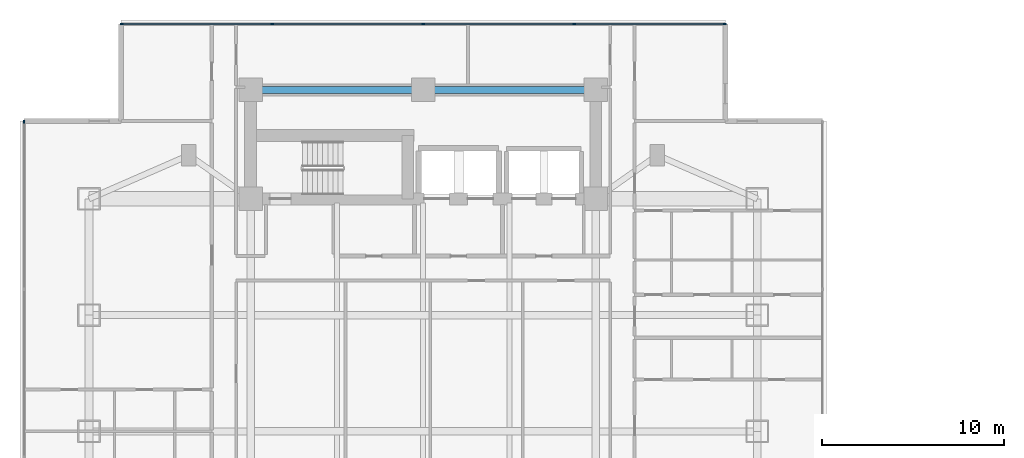
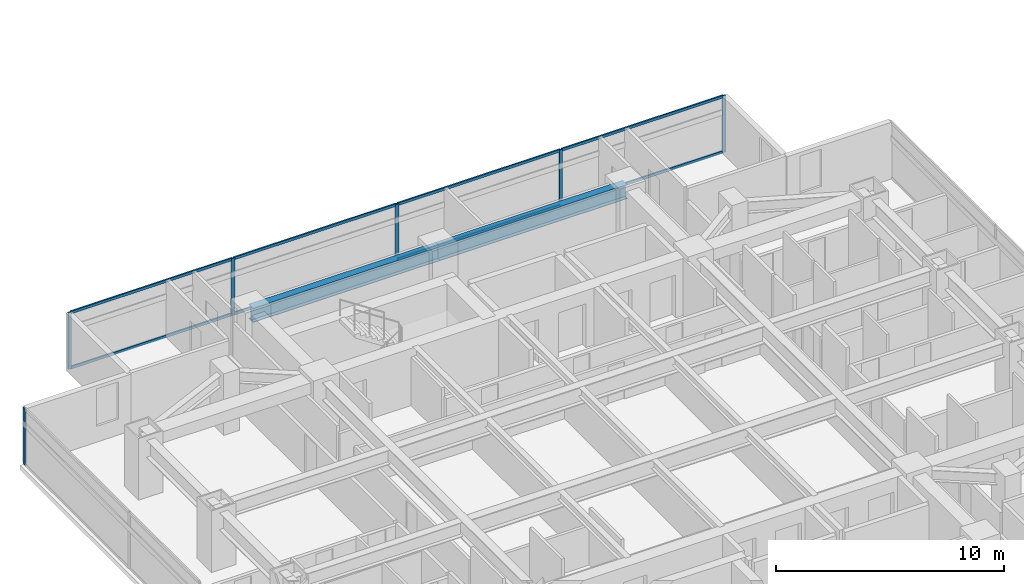
# One storey, part 7 of 24: 14 members, 2 beams, 2 elements without a shape of their own.
"""IFC4 building model written with IfcOpenShell, lengths in metres."""

from ifc_helpers import new_model, si_unit, direction, frame, origin, origin_2d, place, context, subcontext, project, spatial, rectangle, i_section, extrude, material, material_profile, profile_set, type_object, element, aggregate, save


model = new_model("IFC4")

# Units and contexts
model_context = context("Model", 3, precision=1e-05, world=origin(), true_north=direction((0.0, 1.0)))
body_context = subcontext(model_context, "Body", "Model", "MODEL_VIEW")
ifc_project = project(units=[si_unit("LENGTHUNIT", "METRE"), si_unit("AREAUNIT", "SQUARE_METRE"), si_unit("VOLUMEUNIT", "CUBIC_METRE"), si_unit("PLANEANGLEUNIT", "RADIAN"), si_unit("MASSUNIT", "GRAM", prefix="KILO")], contexts=[model_context])

# Site, building, storey
site_placement = place(None, origin())
site = spatial("IfcSite", under=ifc_project, at=site_placement, CompositionType="ELEMENT")
building_placement = place(site_placement, origin())
building = spatial("IfcBuilding", under=site, at=building_placement, Name="Mirazonda Arch Towers", CompositionType="ELEMENT")
storey_placement = place(building_placement, frame((0.0, 0.0, 68.60009765625)))
storey = spatial("IfcBuildingStorey", under=building, at=storey_placement, Name="L19", CompositionType="ELEMENT", Elevation=68.60009765625)

# Beams
ifc_material_1 = material(Name="Steel ASTM A992 Grade 50", Category="steel")
ifc_material_profile_1 = material_profile(ifc_material_1, i_section(OverallWidth=0.381103515625, OverallDepth=0.77294921875, WebThickness=0.0166015625, FlangeThickness=0.027099609375, at=origin_2d()), Name="W30X173")
ifc_profile_set_1 = profile_set([ifc_material_profile_1], Name="Steel ASTM A992 Grade 50")
beam_type = type_object("IfcBeamType", Name="BM-INT-W30X173", PredefinedType="USERDEFINED", material=ifc_profile_set_1)
for number, where, z_axis, x_axis, name in (
    (1, (11.0, 43.60009765625, 2.67333984375), (1.0, 0.0, 0.0), (0.0, 1.0, 0.0), "L19 Floor Beam BM-T1-L19-CN1"),
    (2, (20.5, 43.60009765625, 2.67333984375), (1.0, 0.0, 0.0), (0.0, 1.0, 0.0), "L19 Floor Beam BM-T1-L19-CN2"),
):
    element("IfcBeam", number, at=place(storey_placement, frame(where, z_axis=z_axis, x_axis=x_axis)), inside=storey, type_object=beam_type, Name=name, ObjectType="GIRDER", PredefinedType="USERDEFINED", context=body_context, shape_type="SweptSolid", body=[
        extrude(i_section(OverallWidth=0.381103515625, OverallDepth=0.77294921875, WebThickness=0.0166015625, FlangeThickness=0.027099609375, at=origin_2d()), origin(), (0.0, 0.0, 1.0), 9.5),
    ])

# Curtain wall, members
ifc_material_2 = material(Name="Anodised Aluminium and Low-E Glass", Category="aluminium")
curtain_wall_type = type_object("IfcCurtainWallType", Name="CW-HTL-UNIT", PredefinedType="NOTDEFINED", material=ifc_material_2)
curtain_wall_1_placement = place(storey_placement, origin())
curtain_wall_1 = element("IfcCurtainWall", 3, at=curtain_wall_1_placement, inside=storey, type_object=curtain_wall_type, Name="L19 T1 N Facade CW-L19-T1-N", PredefinedType="NOTDEFINED")
ifc_material_3 = material(Name="Anodised Aluminium Alloy", Category="aluminium")
ifc_material_profile_2 = material_profile(ifc_material_3, rectangle(XDim=0.074951171875, YDim=0.1650390625, at=origin_2d()), Name="ALU-MULL-75x165")
ifc_profile_set_2 = profile_set([ifc_material_profile_2], Name="Anodised Aluminium Alloy")
member_type_1 = type_object("IfcMemberType", Name="MULL-CW-HTL-UNIT", PredefinedType="MULLION", material=ifc_profile_set_2)
member_1_placement = place(storey_placement, frame((3.8974609375, 47.22998046875, 0.0), z_axis=(0.0, 0.0, 1.0), x_axis=(0.0, 1.0, 0.0)))
member_1 = element("IfcMember", 4, at=member_1_placement, type_object=member_type_1, Name="CW-112 mullion 1", PredefinedType="MULLION", context=body_context, shape_type="SweptSolid", body=[
    extrude(rectangle(XDim=0.074951171875, YDim=0.1650390625, at=origin_2d()), origin(), (0.0, 0.0, 1.0), 3.039794921875),
])
member_2_placement = place(storey_placement, frame((12.179931640625, 47.22998046875, 0.0), z_axis=(0.0, 0.0, 1.0), x_axis=(0.0, 1.0, 0.0)))
member_2 = element("IfcMember", 5, at=member_2_placement, type_object=member_type_1, Name="CW-112 mullion 2", PredefinedType="MULLION", context=body_context, shape_type="SweptSolid", body=[
    extrude(rectangle(XDim=0.074951171875, YDim=0.1650390625, at=origin_2d()), origin(), (0.0, 0.0, 1.0), 3.039794921875),
])
member_3_placement = place(storey_placement, frame((20.5, 47.22998046875, 0.0), z_axis=(0.0, 0.0, 1.0), x_axis=(0.0, 1.0, 0.0)))
member_3 = element("IfcMember", 6, at=member_3_placement, type_object=member_type_1, Name="CW-112 mullion 3", PredefinedType="MULLION", context=body_context, shape_type="SweptSolid", body=[
    extrude(rectangle(XDim=0.074951171875, YDim=0.1650390625, at=origin_2d()), origin(), (0.0, 0.0, 1.0), 3.039794921875),
])
member_4_placement = place(storey_placement, frame((28.820068359375, 47.22998046875, 0.0), z_axis=(0.0, 0.0, 1.0), x_axis=(0.0, 1.0, 0.0)))
member_4 = element("IfcMember", 7, at=member_4_placement, type_object=member_type_1, Name="CW-112 mullion 4", PredefinedType="MULLION", context=body_context, shape_type="SweptSolid", body=[
    extrude(rectangle(XDim=0.074951171875, YDim=0.1650390625, at=origin_2d()), origin(), (0.0, 0.0, 1.0), 3.039794921875),
])
member_5_placement = place(storey_placement, frame((37.1025390625, 47.22998046875, 0.0), z_axis=(0.0, 0.0, 1.0), x_axis=(0.0, 1.0, 0.0)))
member_5 = element("IfcMember", 8, at=member_5_placement, type_object=member_type_1, Name="CW-112 mullion 5", PredefinedType="MULLION", context=body_context, shape_type="SweptSolid", body=[
    extrude(rectangle(XDim=0.074951171875, YDim=0.1650390625, at=origin_2d()), origin(), (0.0, 0.0, 1.0), 3.039794921875),
])

# Curtain wall, member
curtain_wall_2_placement = place(storey_placement, origin())
curtain_wall_2 = element("IfcCurtainWall", 9, at=curtain_wall_2_placement, inside=storey, type_object=curtain_wall_type, Name="L19 T1 W Facade CW-L19-T1-W", PredefinedType="NOTDEFINED")
member_6_placement = place(storey_placement, frame((-1.47998046875, 41.8525390625, 0.0), z_axis=(0.0, 0.0, 1.0), x_axis=(1.0, 0.0, 0.0)))
member_6 = element("IfcMember", 10, at=member_6_placement, type_object=member_type_1, Name="CW-112 mullion 1", PredefinedType="MULLION", context=body_context, shape_type="SweptSolid", body=[
    extrude(rectangle(XDim=0.074951171875, YDim=0.1650390625, at=origin_2d()), origin(), (0.0, 0.0, 1.0), 3.039794921875),
])
aggregate(curtain_wall_2, [member_6])

# Member
ifc_material_profile_3 = material_profile(ifc_material_3, rectangle(XDim=0.074951171875, YDim=0.14501953125, at=origin_2d()), Name="ALU-TRAN-75x145")
ifc_profile_set_3 = profile_set([ifc_material_profile_3], Name="Anodised Aluminium Alloy")
member_type_2 = type_object("IfcMemberType", Name="TRAN-CW-HTL-UNIT", PredefinedType="USERDEFINED", material=ifc_profile_set_3)
member_7_placement = place(storey_placement, frame((3.93505859375, 47.22998046875, 0.037353515625), z_axis=(1.0, 0.0, 0.0), x_axis=(0.0, 1.0, 0.0)))
member_7 = element("IfcMember", 11, at=member_7_placement, type_object=member_type_2, Name="CW-112 transom 1.1", ObjectType="TRANSOM", PredefinedType="USERDEFINED", context=body_context, shape_type="SweptSolid", body=[
    extrude(rectangle(XDim=0.074951171875, YDim=0.14501953125, at=origin_2d()), origin(), (0.0, 0.0, 1.0), 8.20751953125),
])

member_8_placement = place(storey_placement, frame((3.93505859375, 47.22998046875, 3.00244140625), z_axis=(1.0, 0.0, 0.0), x_axis=(0.0, 1.0, 0.0)))
member_8 = element("IfcMember", 12, at=member_8_placement, type_object=member_type_2, Name="CW-112 transom 1.2", ObjectType="TRANSOM", PredefinedType="USERDEFINED", context=body_context, shape_type="SweptSolid", body=[
    extrude(rectangle(XDim=0.074951171875, YDim=0.14501953125, at=origin_2d()), origin(), (0.0, 0.0, 1.0), 8.20751953125),
])

member_9_placement = place(storey_placement, frame((12.217529296875, 47.22998046875, 0.037353515625), z_axis=(1.0, 0.0, 0.0), x_axis=(0.0, 1.0, 0.0)))
member_9 = element("IfcMember", 13, at=member_9_placement, type_object=member_type_2, Name="CW-112 transom 2.1", ObjectType="TRANSOM", PredefinedType="USERDEFINED", context=body_context, shape_type="SweptSolid", body=[
    extrude(rectangle(XDim=0.074951171875, YDim=0.14501953125, at=origin_2d()), origin(), (0.0, 0.0, 1.0), 8.244873046875),
])

member_10_placement = place(storey_placement, frame((12.217529296875, 47.22998046875, 3.00244140625), z_axis=(1.0, 0.0, 0.0), x_axis=(0.0, 1.0, 0.0)))
member_10 = element("IfcMember", 14, at=member_10_placement, type_object=member_type_2, Name="CW-112 transom 2.2", ObjectType="TRANSOM", PredefinedType="USERDEFINED", context=body_context, shape_type="SweptSolid", body=[
    extrude(rectangle(XDim=0.074951171875, YDim=0.14501953125, at=origin_2d()), origin(), (0.0, 0.0, 1.0), 8.244873046875),
])

member_11_placement = place(storey_placement, frame((20.53759765625, 47.22998046875, 0.037353515625), z_axis=(1.0, 0.0, 0.0), x_axis=(0.0, 1.0, 0.0)))
member_11 = element("IfcMember", 15, at=member_11_placement, type_object=member_type_2, Name="CW-112 transom 3.1", ObjectType="TRANSOM", PredefinedType="USERDEFINED", context=body_context, shape_type="SweptSolid", body=[
    extrude(rectangle(XDim=0.074951171875, YDim=0.14501953125, at=origin_2d()), origin(), (0.0, 0.0, 1.0), 8.244873046875),
])

member_12_placement = place(storey_placement, frame((20.53759765625, 47.22998046875, 3.00244140625), z_axis=(1.0, 0.0, 0.0), x_axis=(0.0, 1.0, 0.0)))
member_12 = element("IfcMember", 16, at=member_12_placement, type_object=member_type_2, Name="CW-112 transom 3.2", ObjectType="TRANSOM", PredefinedType="USERDEFINED", context=body_context, shape_type="SweptSolid", body=[
    extrude(rectangle(XDim=0.074951171875, YDim=0.14501953125, at=origin_2d()), origin(), (0.0, 0.0, 1.0), 8.244873046875),
])

member_13_placement = place(storey_placement, frame((28.857421875, 47.22998046875, 0.037353515625), z_axis=(1.0, 0.0, 0.0), x_axis=(0.0, 1.0, 0.0)))
member_13 = element("IfcMember", 17, at=member_13_placement, type_object=member_type_2, Name="CW-112 transom 4.1", ObjectType="TRANSOM", PredefinedType="USERDEFINED", context=body_context, shape_type="SweptSolid", body=[
    extrude(rectangle(XDim=0.074951171875, YDim=0.14501953125, at=origin_2d()), origin(), (0.0, 0.0, 1.0), 8.20751953125),
])

member_14_placement = place(storey_placement, frame((28.857421875, 47.22998046875, 3.00244140625), z_axis=(1.0, 0.0, 0.0), x_axis=(0.0, 1.0, 0.0)))
member_14 = element("IfcMember", 18, at=member_14_placement, type_object=member_type_2, Name="CW-112 transom 4.2", ObjectType="TRANSOM", PredefinedType="USERDEFINED", context=body_context, shape_type="SweptSolid", body=[
    extrude(rectangle(XDim=0.074951171875, YDim=0.14501953125, at=origin_2d()), origin(), (0.0, 0.0, 1.0), 8.20751953125),
])

aggregate(curtain_wall_1, [member_1, member_2, member_3, member_4, member_5, member_7, member_8, member_9, member_10, member_11, member_12, member_13, member_14])

save(model, "model.ifc")
